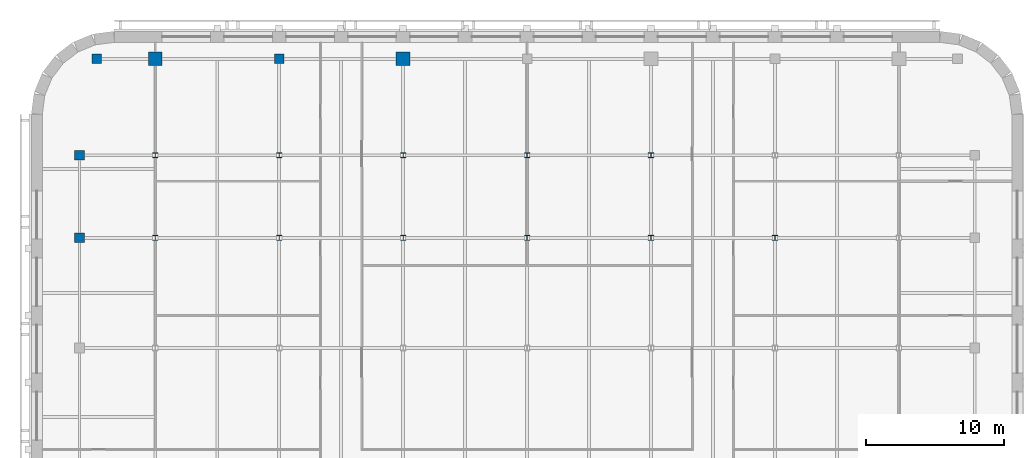
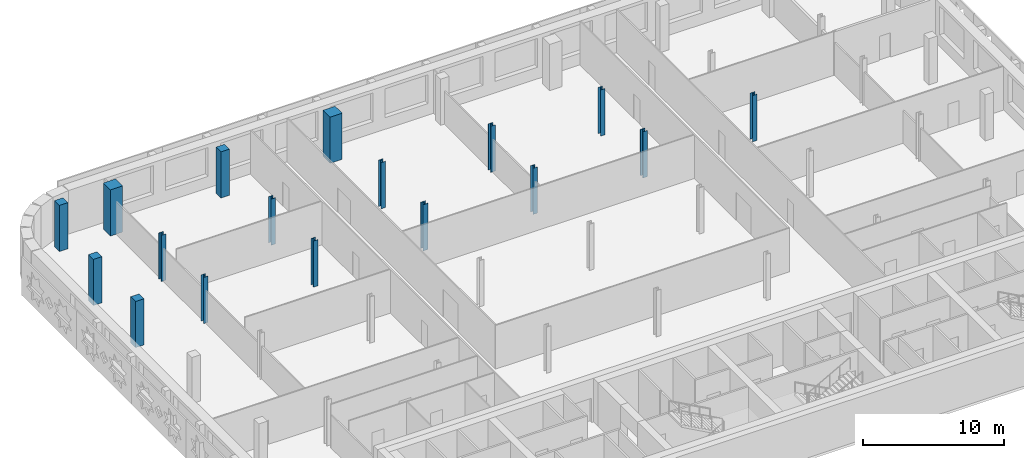
# One storey, part 3 of 16: 17 columns.
"""IFC4 building model written with IfcOpenShell, lengths in metres."""

from ifc_helpers import new_model, si_unit, direction, frame, origin, origin_2d, place, context, subcontext, project, spatial, rectangle, i_section, extrude, material, material_profile, profile_set, type_object, element, save


model = new_model("IFC4")

# Units and contexts
model_context = context("Model", 3, precision=1e-05, world=origin(), true_north=direction((0.0, 1.0)))
body_context = subcontext(model_context, "Body", "Model", "MODEL_VIEW")
ifc_project = project(units=[si_unit("LENGTHUNIT", "METRE"), si_unit("AREAUNIT", "SQUARE_METRE"), si_unit("VOLUMEUNIT", "CUBIC_METRE"), si_unit("PLANEANGLEUNIT", "RADIAN"), si_unit("MASSUNIT", "GRAM", prefix="KILO")], contexts=[model_context])

# Site, building, storey
site_placement = place(None, origin())
site = spatial("IfcSite", under=ifc_project, at=site_placement, CompositionType="ELEMENT")
building_placement = place(site_placement, origin())
building = spatial("IfcBuilding", under=site, at=building_placement, Name="Zellij Exchange Tower", CompositionType="ELEMENT")
storey_placement = place(building_placement, frame((0.0, 0.0, 280.5)))
storey = spatial("IfcBuildingStorey", under=building, at=storey_placement, Name="L66", CompositionType="ELEMENT", Elevation=280.5)

# Columns
ifc_material_1 = material(Name="Concrete C50/60", Category="concrete")
ifc_material_profile_1 = material_profile(ifc_material_1, rectangle(XDim=0.699951171875, YDim=0.699951171875, at=origin_2d()), Name="STR-COLUMN RC700x700 C50/60")
ifc_profile_set_1 = profile_set([ifc_material_profile_1], Name="Concrete C50/60")
column_type_1 = type_object("IfcColumnType", Name="STR-COLUMN RC700x700 C50/60", PredefinedType="COLUMN", material=ifc_profile_set_1)
for number, where, z_axis, x_axis, name in (
    (1, (-32.5, 22.0, 0.0), (0.0, 0.0, 1.0), (1.0, 0.0, 0.0), "C14"),
    (2, (-32.5, 28.0, 0.0), (0.0, 0.0, 1.0), (1.0, 0.0, 0.0), "C14"),
    (3, (-31.25, 35.0, 0.0), (0.0, 0.0, 1.0), (1.0, 0.0, 0.0), "C14"),
    (4, (-18.0, 35.0, 0.0), (0.0, 0.0, 1.0), (1.0, 0.0, 0.0), "C14"),
):
    element("IfcColumn", number, at=place(storey_placement, frame(where, z_axis=z_axis, x_axis=x_axis)), inside=storey, type_object=column_type_1, Name=name, PredefinedType="COLUMN", context=body_context, shape_type="SweptSolid", body=[
        extrude(rectangle(XDim=0.699951171875, YDim=0.699951171875, at=origin_2d()), origin(), (0.0, 0.0, 1.0), 4.0),
    ])
ifc_material_2 = material(Name="Structural steel ASTM A992 Gr 50", Category="steel")
ifc_material_profile_2 = material_profile(ifc_material_2, i_section(OverallWidth=0.373291015625, OverallDepth=0.373291015625, WebThickness=0.016357421875, FlangeThickness=0.026123046875, at=origin_2d()), Name="W14x132")
ifc_profile_set_2 = profile_set([ifc_material_profile_2], Name="Structural steel ASTM A992 Gr 50")
column_type_2 = type_object("IfcColumnType", Name="STR-COLUMN W14x132", PredefinedType="COLUMN", material=ifc_profile_set_2)
for number, where, z_axis, x_axis, name in (
    (5, (-27.0, 22.0, 0.0), (0.0, 0.0, 1.0), (1.0, 0.0, 0.0), "C1"),
    (6, (-18.0, 22.0, 0.0), (0.0, 0.0, 1.0), (1.0, 0.0, 0.0), "C1"),
    (7, (-9.0, 22.0, 0.0), (0.0, 0.0, 1.0), (1.0, 0.0, 0.0), "C1"),
    (8, (0.0, 22.0, 0.0), (0.0, 0.0, 1.0), (1.0, 0.0, 0.0), "C1"),
    (9, (9.0, 22.0, 0.0), (0.0, 0.0, 1.0), (1.0, 0.0, 0.0), "C1"),
    (10, (18.0, 22.0, 0.0), (0.0, 0.0, 1.0), (1.0, 0.0, 0.0), "C1"),
    (11, (-27.0, 28.0, 0.0), (0.0, 0.0, 1.0), (1.0, 0.0, 0.0), "C1"),
    (12, (-18.0, 28.0, 0.0), (0.0, 0.0, 1.0), (1.0, 0.0, 0.0), "C1"),
    (13, (-9.0, 28.0, 0.0), (0.0, 0.0, 1.0), (1.0, 0.0, 0.0), "C1"),
    (14, (0.0, 28.0, 0.0), (0.0, 0.0, 1.0), (1.0, 0.0, 0.0), "C1"),
    (15, (9.0, 28.0, 0.0), (0.0, 0.0, 1.0), (1.0, 0.0, 0.0), "C1"),
):
    element("IfcColumn", number, at=place(storey_placement, frame(where, z_axis=z_axis, x_axis=x_axis)), inside=storey, type_object=column_type_2, Name=name, PredefinedType="COLUMN", context=body_context, shape_type="SweptSolid", body=[
        extrude(i_section(OverallWidth=0.373291015625, OverallDepth=0.373291015625, WebThickness=0.016357421875, FlangeThickness=0.026123046875, at=origin_2d()), origin(), (0.0, 0.0, 1.0), 4.0),
    ])
ifc_material_profile_3 = material_profile(ifc_material_1, rectangle(XDim=1.0, YDim=1.0, at=origin_2d()), Name="STR-MEGA COLUMN RC1000x1000 C50/60")
ifc_profile_set_3 = profile_set([ifc_material_profile_3], Name="Concrete C50/60")
column_type_3 = type_object("IfcColumnType", Name="STR-MEGA COLUMN RC1000x1000 C50/60", PredefinedType="COLUMN", material=ifc_profile_set_3)
for number, where, z_axis, x_axis, name in (
    (16, (-27.0, 35.0, 0.0), (0.0, 0.0, 1.0), (1.0, 0.0, 0.0), "MC1"),
    (17, (-9.0, 35.0, 0.0), (0.0, 0.0, 1.0), (1.0, 0.0, 0.0), "MC1"),
):
    element("IfcColumn", number, at=place(storey_placement, frame(where, z_axis=z_axis, x_axis=x_axis)), inside=storey, type_object=column_type_3, Name=name, PredefinedType="COLUMN", context=body_context, shape_type="SweptSolid", body=[
        extrude(rectangle(XDim=1.0, YDim=1.0, at=origin_2d()), origin(), (0.0, 0.0, 1.0), 4.0),
    ])

save(model, "model.ifc")
